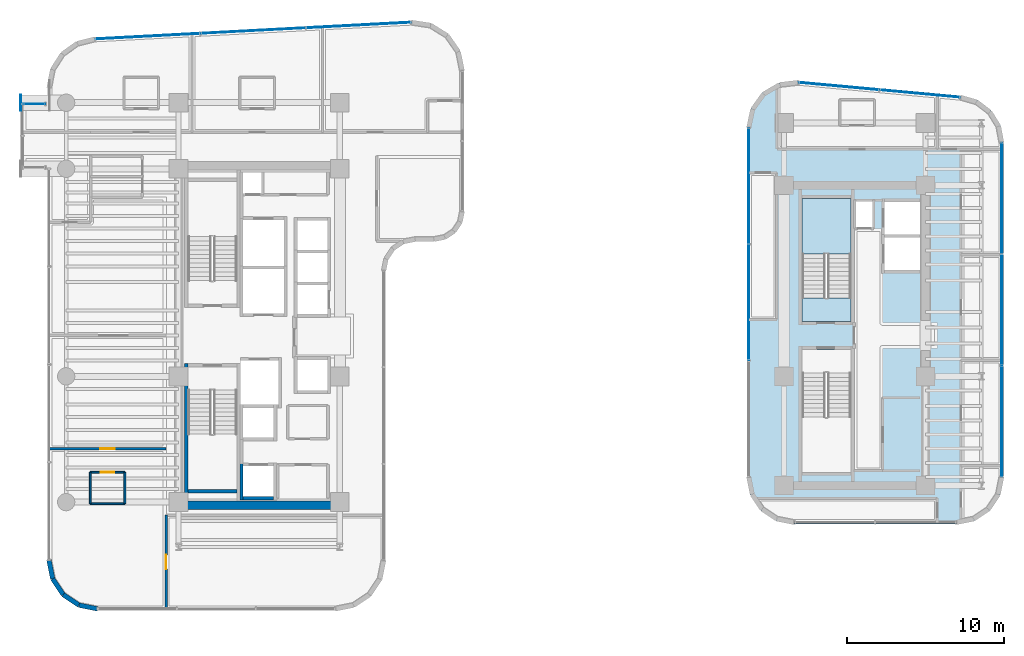
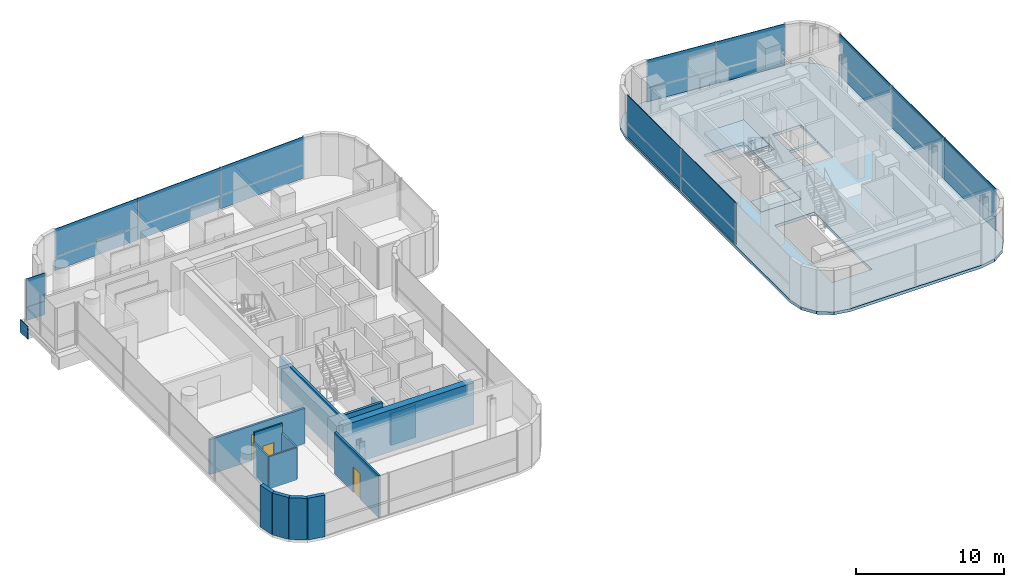
# One storey, part 24 of 33: 19 plates, 15 walls, 3 doors, 3 slabs, 3 openings, 6 elements without a shape of their own.
"""IFC4 building model written with IfcOpenShell, lengths in metres."""

from ifc_helpers import new_model, si_unit, direction, frame, frame_2d, origin, origin_2d, place, context, subcontext, project, spatial, polyline, rectangle, outline, extrude, source, transform, mapped, material, layer, layer_set, type_object, element, fill, aggregate, save


model = new_model("IFC4")

# Units and contexts
model_context = context("Model", 3, precision=1e-05, world=origin(), true_north=direction((0.0, 1.0)))
body_context = subcontext(model_context, "Body", "Model", "MODEL_VIEW")
ifc_project = project(units=[si_unit("LENGTHUNIT", "METRE"), si_unit("AREAUNIT", "SQUARE_METRE"), si_unit("VOLUMEUNIT", "CUBIC_METRE"), si_unit("PLANEANGLEUNIT", "RADIAN"), si_unit("MASSUNIT", "GRAM", prefix="KILO")], contexts=[model_context])

# Site, building, storey
site_placement = place(None, origin())
site = spatial("IfcSite", under=ifc_project, at=site_placement, CompositionType="ELEMENT")
building_placement = place(site_placement, origin())
building = spatial("IfcBuilding", under=site, at=building_placement, Name="Valdorenza Pilgrim Sanctuary Tower", CompositionType="ELEMENT")
storey_placement = place(building_placement, frame((0.0, 0.0, 157.5)))
storey = spatial("IfcBuildingStorey", under=building, at=storey_placement, Name="L40", CompositionType="ELEMENT", Elevation=157.5)

# Slab
ifc_material_1 = material(Name="Concrete C40/50", Category="concrete")
ifc_layer_1 = layer(ifc_material_1, 0.239990234375, Name="Concrete C40/50")
ifc_layer_set_1 = layer_set([ifc_layer_1], Name="Concrete C40/50")
slab_type_1 = type_object("IfcSlabType", Name="SLAB-FLR-220", PredefinedType="FLOOR", material=ifc_layer_set_1)
slab_1_placement = place(storey_placement, frame((0.0, 0.0, -0.239990234375)))
element("IfcSlab", 1, at=slab_1_placement, inside=storey, type_object=slab_type_1, Name="L40 Structural Floor Slab 2", PredefinedType="FLOOR", context=body_context, shape_type="SweptSolid", body=[
    extrude(outline(polyline([(13.5, 13.211181640625), (13.75537109375, 14.422607421875), (14.478271484375, 15.427490234375), (15.54541015625, 16.055419921875), (16.77490234375, 16.198486328125), (27.074951171875, 15.250732421875), (28.135986328125, 14.949462890625), (29.016357421875, 14.28515625), (29.59716796875, 13.34765625), (29.800048828125, 12.263427734375), (29.800048828125, -9.0), (29.571533203125, -10.148193359375), (28.92138671875, -11.121337890625), (27.947998046875, -11.771484375), (26.800048828125, -12.0), (16.5, -12.0), (15.351806640625, -11.771484375), (14.378662109375, -11.121337890625), (13.728515625, -10.148193359375), (13.5, -9.0), (13.5, 13.211181640625)]), holes=[polyline([(17.0, -8.699951171875), (20.110107421875, -8.699951171875), (20.110107421875, -2.385009765625), (20.110107421875, -0.89990234375), (17.0, -0.89990234375), (17.0, -2.385009765625), (17.0, -8.699951171875)]), polyline([(17.0, 0.89990234375), (20.110107421875, 0.89990234375), (20.110107421875, 2.385009765625), (20.110107421875, 8.699951171875), (17.0, 8.699951171875), (17.0, 2.385009765625), (17.0, 0.89990234375)]), polyline([(22.25, 4.14990234375), (24.47998046875, 4.14990234375), (24.47998046875, 6.22509765625), (22.25, 6.22509765625), (22.25, 4.14990234375)]), polyline([(22.25, 6.425048828125), (24.47998046875, 6.425048828125), (24.47998046875, 8.5), (22.25, 8.5), (22.25, 6.425048828125)]), polyline([(20.409912109375, 6.860107421875), (21.489990234375, 6.860107421875), (21.489990234375, 8.52001953125), (20.409912109375, 8.52001953125), (20.409912109375, 6.860107421875)])]), origin(), (0.0, 0.0, 1.0), 0.239990234375),
])

# Stair, slab
stair_type = type_object("IfcStairType", Name="STR-DOG-CORE", PredefinedType="HALF_TURN_STAIR", material=ifc_material_1)
stair_placement = place(storey_placement, origin())
stair = element("IfcStair", 2, at=stair_placement, inside=storey, type_object=stair_type, Name="L40 ST-B1", PredefinedType="HALF_TURN_STAIR")
ifc_layer_2 = layer(ifc_material_1, 0.199951171875, Name="Concrete C40/50")
ifc_layer_set_2 = layer_set([ifc_layer_2], Name="Concrete C40/50")
slab_type_2 = type_object("IfcSlabType", Name="SLAB-STL-200", PredefinedType="LANDING", material=ifc_layer_set_2)
slab_2_placement = place(storey_placement, frame((0.0, 0.0, 1.64990234375)))
slab_2 = element("IfcSlab", 3, at=slab_2_placement, type_object=slab_type_2, Name="ST-B1 landing 1", PredefinedType="LANDING", context=body_context, shape_type="SweptSolid", body=[
    extrude(outline(polyline([(20.110107421875, 5.179931640625), (20.110107421875, 8.699951171875), (17.0, 8.699951171875), (17.0, 5.179931640625), (20.110107421875, 5.179931640625)])), origin(), (0.0, 0.0, 1.0), 0.2001953125),
])
aggregate(stair, [slab_2])

# Slab
ifc_material_2 = material(Name="Concrete C50/60", Category="concrete")
ifc_layer_3 = layer(ifc_material_2, 0.39990234375, Name="Concrete C50/60")
ifc_layer_set_3 = layer_set([ifc_layer_3], Name="Concrete C50/60")
slab_type_3 = type_object("IfcSlabType", Name="SLAB-TRF-400", PredefinedType="FLOOR", material=ifc_layer_set_3)
slab_3_placement = place(storey_placement, frame((0.0, 0.0, -0.360107421875)))
element("IfcSlab", 4, at=slab_3_placement, inside=storey, type_object=slab_type_3, Name="L40 ST-B1 Structural Stair Landing Bearing Slab", PredefinedType="FLOOR", context=body_context, shape_type="SweptSolid", body=[
    extrude(outline(polyline([(17.0, 0.89990234375), (20.110107421875, 0.89990234375), (20.110107421875, 2.385009765625), (17.0, 2.385009765625), (17.0, 0.89990234375)])), origin(), (0.0, 0.0, 1.0), 0.360107421875),
])

# Plate
ifc_material_3 = material(Name="Steel ASTM A572 Grade 42", Category="steel")
ifc_layer_4 = layer(ifc_material_3, 0.06005859375, Name="Steel ASTM A572 Grade 42")
ifc_layer_set_4 = layer_set([ifc_layer_4], Name="Steel ASTM A572 Grade 42")
plate_type_1 = type_object("IfcPlateType", Name="PLT-CAP-60", PredefinedType="SHEET", material=ifc_layer_set_4)
shared_shape_1 = source(origin(), body_context, "Body", "SweptSolid", [
    extrude(rectangle(XDim=0.06005859375, YDim=1.0400390625, at=origin_2d()), origin(), (0.0, 0.0, 1.0), 1.0400390625),
])
plate_1_placement = place(storey_placement, frame((-32.679931640625, 14.800048828125, -1.260009765625), z_axis=(0.0, 0.0, 1.0), x_axis=(1.0, 0.0, 0.0)))
element("IfcPlate", 5, at=plate_1_placement, inside=storey, type_object=plate_type_1, Name="L40 BOX-WA-L40 Cantilever Tip End Cap N", PredefinedType="SHEET", context=body_context, shape_type="MappedRepresentation", body=[
    mapped(shared_shape_1, transform((0.0, 0.0, 0.0), x_axis=(1.0, 0.0, 0.0), y_axis=(0.0, 1.0, 0.0), z_axis=(0.0, 0.0, 1.0), scale=1.0)),
])

# Curtain wall, plates
ifc_material_4 = material(Name="Curtain-wall IGU glazing", Category="glass")
curtain_wall_type_1 = type_object("IfcCurtainWallType", Name="CW-SYS-02", PredefinedType="NOTDEFINED", material=ifc_material_4)
curtain_wall_1_placement = place(storey_placement, origin())
curtain_wall_1 = element("IfcCurtainWall", 6, at=curtain_wall_1_placement, inside=storey, type_object=curtain_wall_type_1, Name="L40 Curtain Wall CW-L40-BOX-WA-L40-N", PredefinedType="NOTDEFINED")
ifc_material_5 = material(Name="Honed travertine limestone", Category="masonry")
ifc_layer_5 = layer(ifc_material_5, 0.050048828125, Name="Honed travertine limestone")
ifc_layer_set_5 = layer_set([ifc_layer_5], Name="Honed travertine limestone")
plate_type_2 = type_object("IfcPlateType", Name="CW-SPN-TRV", PredefinedType="USERDEFINED", material=ifc_layer_set_5)
shared_shape_2 = source(origin(), body_context, "Body", "SweptSolid", [
    extrude(rectangle(XDim=1.43994140625, YDim=0.06005859375, at=origin_2d()), origin(), (0.0, 0.0, 1.0), 1.10009765625),
])
plate_2_placement = place(storey_placement, frame((-31.840087890625, 14.719970703125, 0.010009765625), z_axis=(0.0, 0.0, 1.0), x_axis=(1.0, 0.0, 0.0)))
plate_2 = element("IfcPlate", 7, at=plate_2_placement, type_object=plate_type_2, Name="CW-L40-BOX-WA-L40-N Travertine Spandrel 1", ObjectType="SPANDREL", PredefinedType="USERDEFINED", context=body_context, shape_type="MappedRepresentation", body=[
    mapped(shared_shape_2, transform((0.0, 0.0, 0.0), x_axis=(1.0, 0.0, 0.0), y_axis=(0.0, 1.0, 0.0), z_axis=(0.0, 0.0, 1.0), scale=1.0)),
])
ifc_material_6 = material(Name="Ceramic-fritted low-E IGU glazing", Category="glass")
ifc_layer_6 = layer(ifc_material_6, 0.035888671875, Name="Ceramic-fritted low-E IGU glazing")
ifc_layer_set_6 = layer_set([ifc_layer_6], Name="Ceramic-fritted low-E IGU glazing")
plate_type_3 = type_object("IfcPlateType", Name="CW-GLZ-IGU", PredefinedType="USERDEFINED", material=ifc_layer_set_6)
shared_shape_3 = source(origin(), body_context, "Body", "SweptSolid", [
    extrude(rectangle(XDim=1.43994140625, YDim=0.050048828125, at=origin_2d()), origin(), (0.0, 0.0, 1.0), 2.320068359375),
])
plate_3_placement = place(storey_placement, frame((-31.840087890625, 14.719970703125, 1.1298828125), z_axis=(0.0, 0.0, 1.0), x_axis=(1.0, 0.0, 0.0)))
plate_3 = element("IfcPlate", 8, at=plate_3_placement, type_object=plate_type_3, Name="CW-L40-BOX-WA-L40-N Facade Panel 1", ObjectType="GLAZING", PredefinedType="USERDEFINED", context=body_context, shape_type="MappedRepresentation", body=[
    mapped(shared_shape_3, transform((0.0, 0.0, 0.0), x_axis=(1.0, 0.0, 0.0), y_axis=(0.0, 1.0, 0.0), z_axis=(0.0, 0.0, 1.0), scale=1.0)),
])
aggregate(curtain_wall_1, [plate_2, plate_3])

curtain_wall_2_placement = place(storey_placement, origin())
curtain_wall_2 = element("IfcCurtainWall", 9, at=curtain_wall_2_placement, inside=storey, type_object=curtain_wall_type_1, Name="L40 Curtain Wall CW-L40-1-6", PredefinedType="NOTDEFINED")
shared_shape_4 = source(origin(), body_context, "Body", "SweptSolid", [
    extrude(rectangle(XDim=6.68212890625, YDim=0.06005859375, at=origin_2d()), origin(), (0.0, 0.0, 1.0), 1.10009765625),
])
plate_4_placement = place(storey_placement, frame((-24.606201171875, 19.027587890625, 0.010009765625), z_axis=(0.0, 0.0, 1.0), x_axis=(0.998607524712, 0.052754256601, 0.0)))
plate_4 = element("IfcPlate", 10, at=plate_4_placement, type_object=plate_type_2, Name="CW-L40-1-6 Travertine Spandrel 1", ObjectType="SPANDREL", PredefinedType="USERDEFINED", context=body_context, shape_type="MappedRepresentation", body=[
    mapped(shared_shape_4, transform((0.0, 0.0, 0.0), x_axis=(1.0, 0.0, 0.0), y_axis=(0.0, 1.0, 0.0), z_axis=(0.0, 0.0, 1.0), scale=1.0)),
])
plate_5_placement = place(storey_placement, frame((-11.220703125, 19.73486328125, 0.010009765625), z_axis=(0.0, 0.0, 1.0), x_axis=(0.998607524712, 0.052754256601, 0.0)))
plate_5 = element("IfcPlate", 11, at=plate_5_placement, type_object=plate_type_2, Name="CW-L40-1-6 Travertine Spandrel 3", ObjectType="SPANDREL", PredefinedType="USERDEFINED", context=body_context, shape_type="MappedRepresentation", body=[
    mapped(shared_shape_4, transform((0.0, 0.0, 0.0), x_axis=(1.0, 0.0, 0.0), y_axis=(0.0, 1.0, 0.0), z_axis=(0.0, 0.0, 1.0), scale=1.0)),
])
shared_shape_5 = source(origin(), body_context, "Body", "SweptSolid", [
    extrude(rectangle(XDim=6.68212890625, YDim=0.050048828125, at=origin_2d()), origin(), (0.0, 0.0, 1.0), 2.320068359375),
])
plate_6_placement = place(storey_placement, frame((-24.606201171875, 19.027587890625, 1.1298828125), z_axis=(0.0, 0.0, 1.0), x_axis=(0.998607524712, 0.052754256601, 0.0)))
plate_6 = element("IfcPlate", 12, at=plate_6_placement, type_object=plate_type_3, Name="CW-L40-1-6 Facade Panel 1", ObjectType="GLAZING", PredefinedType="USERDEFINED", context=body_context, shape_type="MappedRepresentation", body=[
    mapped(shared_shape_5, transform((0.0, 0.0, 0.0), x_axis=(1.0, 0.0, 0.0), y_axis=(0.0, 1.0, 0.0), z_axis=(0.0, 0.0, 1.0), scale=1.0)),
])
plate_7_placement = place(storey_placement, frame((-11.220703125, 19.73486328125, 1.1298828125), z_axis=(0.0, 0.0, 1.0), x_axis=(0.998607524712, 0.052754256601, 0.0)))
plate_7 = element("IfcPlate", 13, at=plate_7_placement, type_object=plate_type_3, Name="CW-L40-1-6 Facade Panel 3", ObjectType="GLAZING", PredefinedType="USERDEFINED", context=body_context, shape_type="MappedRepresentation", body=[
    mapped(shared_shape_5, transform((0.0, 0.0, 0.0), x_axis=(1.0, 0.0, 0.0), y_axis=(0.0, 1.0, 0.0), z_axis=(0.0, 0.0, 1.0), scale=1.0)),
])
shared_shape_6 = source(origin(), body_context, "Body", "SweptSolid", [
    extrude(rectangle(XDim=6.68212890625, YDim=0.050048828125, at=origin_2d()), origin(), (0.0, 0.0, 1.0), 3.43994140625),
])
plate_8_placement = place(storey_placement, frame((-17.913330078125, 19.381103515625, 0.010009765625), z_axis=(0.0, 0.0, 1.0), x_axis=(0.998607524712, 0.052754256601, 0.0)))
plate_8 = element("IfcPlate", 14, at=plate_8_placement, type_object=plate_type_3, Name="CW-L40-1-6 Full-Height Facade Panel 2", ObjectType="GLAZING", PredefinedType="USERDEFINED", context=body_context, shape_type="MappedRepresentation", body=[
    mapped(shared_shape_6, transform((0.0, 0.0, 0.0), x_axis=(1.0, 0.0, 0.0), y_axis=(0.0, 1.0, 0.0), z_axis=(0.0, 0.0, 1.0), scale=1.0)),
])
aggregate(curtain_wall_2, [plate_4, plate_6, plate_8, plate_5, plate_7])

curtain_wall_type_2 = type_object("IfcCurtainWallType", Name="CW-SYS-03", PredefinedType="NOTDEFINED", material=ifc_material_4)
curtain_wall_3_placement = place(storey_placement, origin())
curtain_wall_3 = element("IfcCurtainWall", 15, at=curtain_wall_3_placement, inside=storey, type_object=curtain_wall_type_2, Name="L40 Curtain Wall CW-L40-2-1", PredefinedType="NOTDEFINED")
shared_shape_7 = source(origin(), body_context, "Body", "SweptSolid", [
    extrude(rectangle(XDim=7.376220703125, YDim=0.06005859375, at=origin_2d()), origin(), (0.0, 0.0, 1.0), 1.10009765625),
])
plate_9_placement = place(storey_placement, frame((13.610107421875, 9.501708984375, 0.010009765625), z_axis=(0.0, 0.0, 1.0), x_axis=(0.0, 1.0, 0.0)))
plate_9 = element("IfcPlate", 16, at=plate_9_placement, type_object=plate_type_2, Name="CW-L40-2-1 Travertine Spandrel 3", ObjectType="SPANDREL", PredefinedType="USERDEFINED", context=body_context, shape_type="MappedRepresentation", body=[
    mapped(shared_shape_7, transform((0.0, 0.0, 0.0), x_axis=(1.0, 0.0, 0.0), y_axis=(0.0, 1.0, 0.0), z_axis=(0.0, 0.0, 1.0), scale=1.0)),
])
shared_shape_8 = source(origin(), body_context, "Body", "SweptSolid", [
    extrude(rectangle(XDim=7.376220703125, YDim=0.050048828125, at=origin_2d()), origin(), (0.0, 0.0, 1.0), 2.320068359375),
])
plate_10_placement = place(storey_placement, frame((13.610107421875, 9.501708984375, 1.1298828125), z_axis=(0.0, 0.0, 1.0), x_axis=(0.0, 1.0, 0.0)))
plate_10 = element("IfcPlate", 17, at=plate_10_placement, type_object=plate_type_3, Name="CW-L40-2-1 Facade Panel 3", ObjectType="GLAZING", PredefinedType="USERDEFINED", context=body_context, shape_type="MappedRepresentation", body=[
    mapped(shared_shape_8, transform((0.0, 0.0, 0.0), x_axis=(1.0, 0.0, 0.0), y_axis=(0.0, 1.0, 0.0), z_axis=(0.0, 0.0, 1.0), scale=1.0)),
])
shared_shape_9 = source(origin(), body_context, "Body", "SweptSolid", [
    extrude(rectangle(XDim=7.376220703125, YDim=0.050048828125, at=origin_2d()), origin(), (0.0, 0.0, 1.0), 3.43994140625),
])
plate_11_placement = place(storey_placement, frame((13.610107421875, 2.105224609375, 0.010009765625), z_axis=(0.0, 0.0, 1.0), x_axis=(0.0, 1.0, 0.0)))
plate_11 = element("IfcPlate", 18, at=plate_11_placement, type_object=plate_type_3, Name="CW-L40-2-1 Full-Height Facade Panel 2", ObjectType="GLAZING", PredefinedType="USERDEFINED", context=body_context, shape_type="MappedRepresentation", body=[
    mapped(shared_shape_9, transform((0.0, 0.0, 0.0), x_axis=(1.0, 0.0, 0.0), y_axis=(0.0, 1.0, 0.0), z_axis=(0.0, 0.0, 1.0), scale=1.0)),
])
aggregate(curtain_wall_3, [plate_11, plate_9, plate_10])

curtain_wall_4_placement = place(storey_placement, origin())
curtain_wall_4 = element("IfcCurtainWall", 19, at=curtain_wall_4_placement, inside=storey, type_object=curtain_wall_type_2, Name="L40 Curtain Wall CW-L40-2-6", PredefinedType="NOTDEFINED")
shared_shape_10 = source(origin(), body_context, "Body", "SweptSolid", [
    extrude(rectangle(XDim=5.14111328125, YDim=0.06005859375, at=origin_2d()), origin(), (0.0, 0.0, 1.0), 1.10009765625),
])
plate_12_placement = place(storey_placement, frame((19.345703125, 15.8515625, 0.010009765625), z_axis=(0.0, 0.0, 1.0), x_axis=(0.995793741111, -0.091623278503, 0.0)))
plate_12 = element("IfcPlate", 20, at=plate_12_placement, type_object=plate_type_2, Name="CW-L40-2-6 Travertine Spandrel 1", ObjectType="SPANDREL", PredefinedType="USERDEFINED", context=body_context, shape_type="MappedRepresentation", body=[
    mapped(shared_shape_10, transform((0.0, 0.0, 0.0), x_axis=(1.0, 0.0, 0.0), y_axis=(0.0, 1.0, 0.0), z_axis=(0.0, 0.0, 1.0), scale=1.0)),
])
shared_shape_11 = source(origin(), body_context, "Body", "SweptSolid", [
    extrude(rectangle(XDim=5.14111328125, YDim=0.050048828125, at=origin_2d()), origin(), (0.0, 0.0, 1.0), 2.320068359375),
])
plate_13_placement = place(storey_placement, frame((19.345703125, 15.8515625, 1.1298828125), z_axis=(0.0, 0.0, 1.0), x_axis=(0.995793741111, -0.091623278503, 0.0)))
plate_13 = element("IfcPlate", 21, at=plate_13_placement, type_object=plate_type_3, Name="CW-L40-2-6 Facade Panel 1", ObjectType="GLAZING", PredefinedType="USERDEFINED", context=body_context, shape_type="MappedRepresentation", body=[
    mapped(shared_shape_11, transform((0.0, 0.0, 0.0), x_axis=(1.0, 0.0, 0.0), y_axis=(0.0, 1.0, 0.0), z_axis=(0.0, 0.0, 1.0), scale=1.0)),
])
shared_shape_12 = source(origin(), body_context, "Body", "SweptSolid", [
    extrude(rectangle(XDim=5.14111328125, YDim=0.050048828125, at=origin_2d()), origin(), (0.0, 0.0, 1.0), 3.43994140625),
])
plate_14_placement = place(storey_placement, frame((24.485107421875, 15.378662109375, 0.010009765625), z_axis=(0.0, 0.0, 1.0), x_axis=(0.995793741111, -0.091623278503, 0.0)))
plate_14 = element("IfcPlate", 22, at=plate_14_placement, type_object=plate_type_3, Name="CW-L40-2-6 Full-Height Facade Panel 2", ObjectType="GLAZING", PredefinedType="USERDEFINED", context=body_context, shape_type="MappedRepresentation", body=[
    mapped(shared_shape_12, transform((0.0, 0.0, 0.0), x_axis=(1.0, 0.0, 0.0), y_axis=(0.0, 1.0, 0.0), z_axis=(0.0, 0.0, 1.0), scale=1.0)),
])
aggregate(curtain_wall_4, [plate_12, plate_13, plate_14])

curtain_wall_5_placement = place(storey_placement, origin())
curtain_wall_5 = element("IfcCurtainWall", 23, at=curtain_wall_5_placement, inside=storey, type_object=curtain_wall_type_2, Name="L40 Curtain Wall CW-L40-2-11", PredefinedType="NOTDEFINED")
shared_shape_13 = source(origin(), body_context, "Body", "SweptSolid", [
    extrude(rectangle(XDim=7.060791015625, YDim=0.06005859375, at=origin_2d()), origin(), (0.0, 0.0, 1.0), 1.10009765625),
])
plate_15_placement = place(storey_placement, frame((29.68994140625, 8.712890625, 0.010009765625), z_axis=(0.0, 0.0, 1.0), x_axis=(0.0, -1.0, 0.0)))
plate_15 = element("IfcPlate", 24, at=plate_15_placement, type_object=plate_type_2, Name="CW-L40-2-11 Travertine Spandrel 1", ObjectType="SPANDREL", PredefinedType="USERDEFINED", context=body_context, shape_type="MappedRepresentation", body=[
    mapped(shared_shape_13, transform((0.0, 0.0, 0.0), x_axis=(1.0, 0.0, 0.0), y_axis=(0.0, 1.0, 0.0), z_axis=(0.0, 0.0, 1.0), scale=1.0)),
])
plate_16_placement = place(storey_placement, frame((29.68994140625, -5.44873046875, 0.010009765625), z_axis=(0.0, 0.0, 1.0), x_axis=(0.0, -1.0, 0.0)))
plate_16 = element("IfcPlate", 25, at=plate_16_placement, type_object=plate_type_2, Name="CW-L40-2-11 Travertine Spandrel 3", ObjectType="SPANDREL", PredefinedType="USERDEFINED", context=body_context, shape_type="MappedRepresentation", body=[
    mapped(shared_shape_13, transform((0.0, 0.0, 0.0), x_axis=(1.0, 0.0, 0.0), y_axis=(0.0, 1.0, 0.0), z_axis=(0.0, 0.0, 1.0), scale=1.0)),
])
shared_shape_14 = source(origin(), body_context, "Body", "SweptSolid", [
    extrude(rectangle(XDim=7.060791015625, YDim=0.050048828125, at=origin_2d()), origin(), (0.0, 0.0, 1.0), 2.320068359375),
])
plate_17_placement = place(storey_placement, frame((29.68994140625, 8.712890625, 1.1298828125), z_axis=(0.0, 0.0, 1.0), x_axis=(0.0, -1.0, 0.0)))
plate_17 = element("IfcPlate", 26, at=plate_17_placement, type_object=plate_type_3, Name="CW-L40-2-11 Facade Panel 1", ObjectType="GLAZING", PredefinedType="USERDEFINED", context=body_context, shape_type="MappedRepresentation", body=[
    mapped(shared_shape_14, transform((0.0, 0.0, 0.0), x_axis=(1.0, 0.0, 0.0), y_axis=(0.0, 1.0, 0.0), z_axis=(0.0, 0.0, 1.0), scale=1.0)),
])
plate_18_placement = place(storey_placement, frame((29.68994140625, -5.44873046875, 1.1298828125), z_axis=(0.0, 0.0, 1.0), x_axis=(0.0, -1.0, 0.0)))
plate_18 = element("IfcPlate", 27, at=plate_18_placement, type_object=plate_type_3, Name="CW-L40-2-11 Facade Panel 3", ObjectType="GLAZING", PredefinedType="USERDEFINED", context=body_context, shape_type="MappedRepresentation", body=[
    mapped(shared_shape_14, transform((0.0, 0.0, 0.0), x_axis=(1.0, 0.0, 0.0), y_axis=(0.0, 1.0, 0.0), z_axis=(0.0, 0.0, 1.0), scale=1.0)),
])
shared_shape_15 = source(origin(), body_context, "Body", "SweptSolid", [
    extrude(rectangle(XDim=7.060791015625, YDim=0.050048828125, at=origin_2d()), origin(), (0.0, 0.0, 1.0), 3.43994140625),
])
plate_19_placement = place(storey_placement, frame((29.68994140625, 1.632080078125, 0.010009765625), z_axis=(0.0, 0.0, 1.0), x_axis=(0.0, -1.0, 0.0)))
plate_19 = element("IfcPlate", 28, at=plate_19_placement, type_object=plate_type_3, Name="CW-L40-2-11 Full-Height Facade Panel 2", ObjectType="GLAZING", PredefinedType="USERDEFINED", context=body_context, shape_type="MappedRepresentation", body=[
    mapped(shared_shape_15, transform((0.0, 0.0, 0.0), x_axis=(1.0, 0.0, 0.0), y_axis=(0.0, 1.0, 0.0), z_axis=(0.0, 0.0, 1.0), scale=1.0)),
])
aggregate(curtain_wall_5, [plate_15, plate_17, plate_19, plate_16, plate_18])

# Wall, opening, door
ifc_material_7 = material(Name="Acoustic twin-stud gypsum partition", Category="gypsum")
ifc_layer_7 = layer(ifc_material_7, 0.159912109375, Name="Acoustic twin-stud gypsum partition")
ifc_layer_set_7 = layer_set([ifc_layer_7], Name="Acoustic twin-stud gypsum partition")
wall_type_1 = type_object("IfcWallType", Name="WAL-COR-160", PredefinedType="PARTITIONING", material=ifc_layer_set_7)
wall_1_placement = place(storey_placement, frame((-23.449951171875, -17.389892578125, 0.0), z_axis=(0.0, 0.0, 1.0), x_axis=(0.0, 1.0, 0.0)))
wall_1 = element("IfcWall", 29, at=wall_1_placement, inside=storey, type_object=wall_type_1, Name="L40 South-East Pocket West Wall", PredefinedType="PARTITIONING", context=body_context, shape_type="SweptSolid", body=[
    extrude(rectangle(XDim=5.969970703125, YDim=0.159912109375, at=frame_2d((2.98486328125, 0.0))), origin(), (0.0, 0.0, 1.0), 3.4599609375),
])
opening_1_placement = place(wall_1_placement, frame((2.534912109375, 0.0, 0.0)))
opening_1 = element("IfcOpeningElement", 30, at=opening_1_placement, cuts=wall_1, Name="Opening DR-RM1", PredefinedType="OPENING", context=body_context, shape_type="SweptSolid", body=[
    extrude(rectangle(XDim=0.89990234375, YDim=2.10009765625, at=frame_2d((0.449951171875, 1.050048828125))), frame((0.0, 0.0947265625, 0.0), z_axis=(0.0, -1.0, 0.0), x_axis=(1.0, 0.0, 0.0)), (0.0, 0.0, 1.0), 0.189697265625),
])
ifc_material_8 = material(Name="Solid-core European oak timber", Category="wood")
door_type_1 = type_object("IfcDoorType", Name="DR-ROOM-900", OperationType="NOTDEFINED", PredefinedType="DOOR", material=ifc_material_8)
door_1_placement = place(opening_1_placement, origin())
door_1 = element("IfcDoor", 31, at=door_1_placement, inside=storey, type_object=door_type_1, Name="L40 South Panoramic Viewing Salon L40 Door", OperationType="SINGLE_SWING_RIGHT", OverallHeight=2.10009765625, OverallWidth=0.89990234375, PredefinedType="DOOR", context=body_context, shape_type="SweptSolid", body=[
    extrude(rectangle(XDim=0.89990234375, YDim=2.10009765625, at=frame_2d((0.449951171875, 1.050048828125))), frame((0.0, 0.02490234375, 0.0), z_axis=(0.0, -1.0, 0.0), x_axis=(1.0, 0.0, 0.0)), (0.0, 0.0, 1.0), 0.050048828125),
])
fill(opening_1, door_1)

wall_2_placement = place(storey_placement, frame((-30.889892578125, -7.199951171875, 0.0), z_axis=(0.0, 0.0, 1.0), x_axis=(1.0, 0.0, 0.0)))
wall_2 = element("IfcWall", 32, at=wall_2_placement, inside=storey, type_object=wall_type_1, Name="L40 Cloister South Room Wall", PredefinedType="PARTITIONING", context=body_context, shape_type="SweptSolid", body=[
    extrude(rectangle(XDim=7.43994140625, YDim=0.159912109375, at=frame_2d((3.719970703125, 0.0))), origin(), (0.0, 0.0, 1.0), 2.89599609375),
])
opening_2_placement = place(wall_2_placement, frame((3.2451171875, 0.0, 0.0)))
opening_2 = element("IfcOpeningElement", 33, at=opening_2_placement, cuts=wall_2, Name="Opening DR-UN1", PredefinedType="OPENING", context=body_context, shape_type="SweptSolid", body=[
    extrude(rectangle(XDim=0.949951171875, YDim=2.14990234375, at=frame_2d((0.47509765625, 1.074951171875))), frame((0.0, 0.0947265625, 0.0), z_axis=(0.0, -1.0, 0.0), x_axis=(1.0, 0.0, 0.0)), (0.0, 0.0, 1.0), 0.189697265625),
])
door_type_2 = type_object("IfcDoorType", Name="DR-UNIT-950", OperationType="NOTDEFINED", PredefinedType="DOOR", material=ifc_material_8)
door_2_placement = place(opening_2_placement, origin())
door_2 = element("IfcDoor", 34, at=door_2_placement, inside=storey, type_object=door_type_2, Name="L40 Pilgrim Guest Room L40-CS1 Entrance Door", OperationType="SINGLE_SWING_RIGHT", OverallHeight=2.14990234375, OverallWidth=0.949951171875, PredefinedType="DOOR", context=body_context, shape_type="SweptSolid", body=[
    extrude(rectangle(XDim=0.949951171875, YDim=2.14990234375, at=frame_2d((0.47509765625, 1.074951171875))), frame((0.0, 0.02490234375, 0.0), z_axis=(0.0, -1.0, 0.0), x_axis=(1.0, 0.0, 0.0)), (0.0, 0.0, 1.0), 0.050048828125),
])
fill(opening_2, door_2)

# Walls
ifc_layer_8 = layer(ifc_material_2, 0.550048828125, Name="Concrete C50/60")
ifc_layer_set_8 = layer_set([ifc_layer_8], Name="Concrete C50/60")
wall_type_2 = type_object("IfcWallType", Name="WAL-COR-550", PredefinedType="SHEAR", material=ifc_layer_set_8)
wall_3_placement = place(storey_placement, frame((-22.64990234375, -10.800048828125, 0.0), z_axis=(0.0, 0.0, 1.0), x_axis=(1.0, 0.0, 0.0)))
element("IfcWall", 35, at=wall_3_placement, inside=storey, type_object=wall_type_2, Name="L40 Split Core A Shear Wall S", PredefinedType="SHEAR", context=body_context, shape_type="SweptSolid", body=[
    extrude(rectangle(XDim=10.25, YDim=0.550048828125, at=frame_2d((5.125, 0.0))), origin(), (0.0, 0.0, 1.0), 3.4599609375),
])
ifc_layer_9 = layer(ifc_material_5, 0.300048828125, Name="Honed travertine limestone")
ifc_layer_set_9 = layer_set([ifc_layer_9], Name="Honed travertine limestone")
wall_type_3 = type_object("IfcWallType", Name="WAL-EXT-300", PredefinedType="SOLIDWALL", material=ifc_layer_set_9)
wall_4_placement = place(storey_placement, frame((-27.789306640625, -17.389892578125, 0.0), z_axis=(0.0, 0.0, 1.0), x_axis=(-0.980804027463, 0.194996050505, 0.0)))
element("IfcWall", 36, at=wall_4_placement, inside=storey, type_object=wall_type_3, Name="L40 Rounded Wind-Corner Stone Pier 27", PredefinedType="SOLIDWALL", context=body_context, shape_type="SweptSolid", body=[
    extrude(rectangle(XDim=1.2158203125, YDim=0.300048828125, at=frame_2d((0.60791015625, 0.0))), origin(), (0.0, 0.0, 1.0), 3.4599609375),
])
for number, where, z_axis, x_axis, name in (
    (37, (-28.981689453125, -17.15283203125, 0.0), (0.0, 0.0, 1.0), (-0.831426265255, 0.555635100982, 0.0), "L40 Rounded Wind-Corner Stone Pier 28"),
    (38, (-29.9833984375, -16.4833984375, 0.0), (0.0, 0.0, 1.0), (-0.555635100982, 0.831426265255, 0.0), "L40 Rounded Wind-Corner Stone Pier 29"),
):
    element("IfcWall", number, at=place(storey_placement, frame(where, z_axis=z_axis, x_axis=x_axis)), inside=storey, type_object=wall_type_3, Name=name, PredefinedType="SOLIDWALL", context=body_context, shape_type="SweptSolid", body=[
        extrude(rectangle(XDim=1.204833984375, YDim=0.300048828125, at=frame_2d((0.6025390625, 0.0))), origin(), (0.0, 0.0, 1.0), 3.4599609375),
    ])
wall_5_placement = place(storey_placement, frame((-30.65283203125, -15.481689453125, 0.0), z_axis=(0.0, 0.0, 1.0), x_axis=(-0.194996050505, 0.980804027463, 0.0)))
element("IfcWall", 39, at=wall_5_placement, inside=storey, type_object=wall_type_3, Name="L40 Rounded Wind-Corner Stone Pier 30", PredefinedType="SOLIDWALL", context=body_context, shape_type="SweptSolid", body=[
    extrude(rectangle(XDim=1.2158203125, YDim=0.300048828125, at=frame_2d((0.60791015625, 0.0))), origin(), (0.0, 0.0, 1.0), 3.4599609375),
])
ifc_material_9 = material(Name="Moisture-resistant gypsum partition", Category="gypsum")
ifc_layer_10 = layer(ifc_material_9, 0.1201171875, Name="Moisture-resistant gypsum partition")
ifc_layer_set_10 = layer_set([ifc_layer_10], Name="Moisture-resistant gypsum partition")
wall_type_4 = type_object("IfcWallType", Name="WAL-INT-120", PredefinedType="PARTITIONING", material=ifc_layer_set_10)
for number, where, z_axis, x_axis, name in (
    (40, (-28.27001953125, -10.699951171875, 0.0), (0.0, 0.0, 1.0), (0.0, 1.0, 0.0), "L40 Pilgrim Guest Room L40-CS1 En-suite West Wall"),
    (41, (-26.070068359375, -10.699951171875, 0.0), (0.0, 0.0, 1.0), (0.0, 1.0, 0.0), "L40 Pilgrim Guest Room L40-CS1 En-suite East Wall"),
):
    element("IfcWall", number, at=place(storey_placement, frame(where, z_axis=z_axis, x_axis=x_axis)), inside=storey, type_object=wall_type_4, Name=name, PredefinedType="PARTITIONING", context=body_context, shape_type="SweptSolid", body=[
        extrude(rectangle(XDim=2.0, YDim=0.1201171875, at=frame_2d((1.0, 0.0))), origin(), (0.0, 0.0, 1.0), 2.666015625),
    ])
wall_6_placement = place(storey_placement, frame((-28.27001953125, -10.699951171875, 0.0), z_axis=(0.0, 0.0, 1.0), x_axis=(1.0, 0.0, 0.0)))
element("IfcWall", 42, at=wall_6_placement, inside=storey, type_object=wall_type_4, Name="L40 Pilgrim Guest Room L40-CS1 En-suite Back Wall", PredefinedType="PARTITIONING", context=body_context, shape_type="SweptSolid", body=[
    extrude(rectangle(XDim=2.199951171875, YDim=0.1201171875, at=frame_2d((1.10009765625, 0.0))), origin(), (0.0, 0.0, 1.0), 2.666015625),
])

# Wall, opening, door
wall_7_placement = place(storey_placement, frame((-28.27001953125, -8.699951171875, 0.0), z_axis=(0.0, 0.0, 1.0), x_axis=(1.0, 0.0, 0.0)))
wall_7 = element("IfcWall", 43, at=wall_7_placement, inside=storey, type_object=wall_type_4, Name="L40 Pilgrim Guest Room L40-CS1 En-suite Door Wall", PredefinedType="PARTITIONING", context=body_context, shape_type="SweptSolid", body=[
    extrude(rectangle(XDim=2.199951171875, YDim=0.1201171875, at=frame_2d((1.10009765625, 0.0))), origin(), (0.0, 0.0, 1.0), 3.4599609375),
])
opening_3_placement = place(wall_7_placement, frame((0.675048828125, 0.0, 0.0)))
opening_3 = element("IfcOpeningElement", 44, at=opening_3_placement, cuts=wall_7, Name="Opening DR-WC1", PredefinedType="OPENING", context=body_context, shape_type="SweptSolid", body=[
    extrude(rectangle(XDim=0.85009765625, YDim=2.10009765625, at=frame_2d((0.425048828125, 1.050048828125))), frame((0.0, 0.074951171875, 0.0), z_axis=(0.0, -1.0, 0.0), x_axis=(1.0, 0.0, 0.0)), (0.0, 0.0, 1.0), 0.14990234375),
])
ifc_material_10 = material(Name="Moisture-resistant lacquered timber", Category="wood")
door_type_3 = type_object("IfcDoorType", Name="DR-BATH-850", OperationType="NOTDEFINED", PredefinedType="DOOR", material=ifc_material_10)
door_3_placement = place(opening_3_placement, origin())
door_3 = element("IfcDoor", 45, at=door_3_placement, inside=storey, type_object=door_type_3, Name="L40 Pilgrim Guest Room L40-CS1 En-suite Bathroom Door", OperationType="SINGLE_SWING_LEFT", OverallHeight=2.10009765625, OverallWidth=0.85009765625, PredefinedType="DOOR", context=body_context, shape_type="SweptSolid", body=[
    extrude(rectangle(XDim=0.85009765625, YDim=2.10009765625, at=frame_2d((0.425048828125, 1.050048828125))), frame((0.0, 0.02490234375, 0.0), z_axis=(0.0, -1.0, 0.0), x_axis=(1.0, 0.0, 0.0)), (0.0, 0.0, 1.0), 0.050048828125),
])
fill(opening_3, door_3)

# Walls
ifc_material_11 = material(Name="Autoclaved aerated concrete blockwork", Category="masonry")
ifc_layer_11 = layer(ifc_material_11, 0.199951171875, Name="Autoclaved aerated concrete blockwork")
ifc_layer_set_11 = layer_set([ifc_layer_11], Name="Autoclaved aerated concrete blockwork")
wall_type_5 = type_object("IfcWallType", Name="WAL-SHF-200", PredefinedType="MOVABLE", material=ifc_layer_set_11)
wall_8_placement = place(storey_placement, frame((-18.64990234375, -10.449951171875, 0.0), z_axis=(0.0, 0.0, 1.0), x_axis=(0.0, 1.0, 0.0)))
element("IfcWall", 46, at=wall_8_placement, inside=storey, type_object=wall_type_5, Name="L40 Lift PL-05 Hoistway Wall West", PredefinedType="MOVABLE", context=body_context, shape_type="SweptSolid", body=[
    extrude(rectangle(XDim=2.349853515625, YDim=0.199951171875, at=frame_2d((1.1748046875, 0.0))), origin(), (0.0, 0.0, 1.0), 2.666015625),
])
wall_9_placement = place(storey_placement, frame((-18.550048828125, -10.35009765625, 0.0), z_axis=(0.0, 0.0, 1.0), x_axis=(1.0, 0.0, 0.0)))
element("IfcWall", 47, at=wall_9_placement, inside=storey, type_object=wall_type_5, Name="L40 Lift PL-05 Hoistway Wall South", PredefinedType="MOVABLE", context=body_context, shape_type="SweptSolid", body=[
    extrude(rectangle(XDim=1.949951171875, YDim=0.199951171875, at=frame_2d((0.97509765625, 0.0))), origin(), (0.0, 0.0, 1.0), 2.666015625),
])
ifc_layer_12 = layer(ifc_material_1, 0.219970703125, Name="Concrete C40/50")
ifc_layer_set_12 = layer_set([ifc_layer_12], Name="Concrete C40/50")
wall_type_6 = type_object("IfcWallType", Name="WAL-STR-SHF-220", PredefinedType="SHEAR", material=ifc_layer_set_12)
wall_10_placement = place(storey_placement, frame((-22.159912109375, -10.52490234375, 0.0), z_axis=(0.0, 0.0, 1.0), x_axis=(0.0, 1.0, 0.0)))
element("IfcWall", 48, at=wall_10_placement, inside=storey, type_object=wall_type_6, Name="L40 ST-A2 Structural Stairwell Wall W", PredefinedType="SHEAR", context=body_context, shape_type="SweptSolid", body=[
    extrude(rectangle(XDim=8.744873046875, YDim=0.219970703125, at=frame_2d((4.37255859375, 0.0))), origin(), (0.0, 0.0, 1.0), 3.4599609375),
])
wall_11_placement = place(storey_placement, frame((-22.050048828125, -9.909912109375, 0.0), z_axis=(0.0, 0.0, 1.0), x_axis=(1.0, 0.0, 0.0)))
element("IfcWall", 49, at=wall_11_placement, inside=storey, type_object=wall_type_6, Name="L40 ST-A2 Structural Stairwell Wall S", PredefinedType="SHEAR", context=body_context, shape_type="SweptSolid", body=[
    extrude(rectangle(XDim=3.110107421875, YDim=0.219970703125, at=frame_2d((1.55517578125, 0.0))), origin(), (0.0, 0.0, 1.0), 3.4599609375),
])

save(model, "model.ifc")
